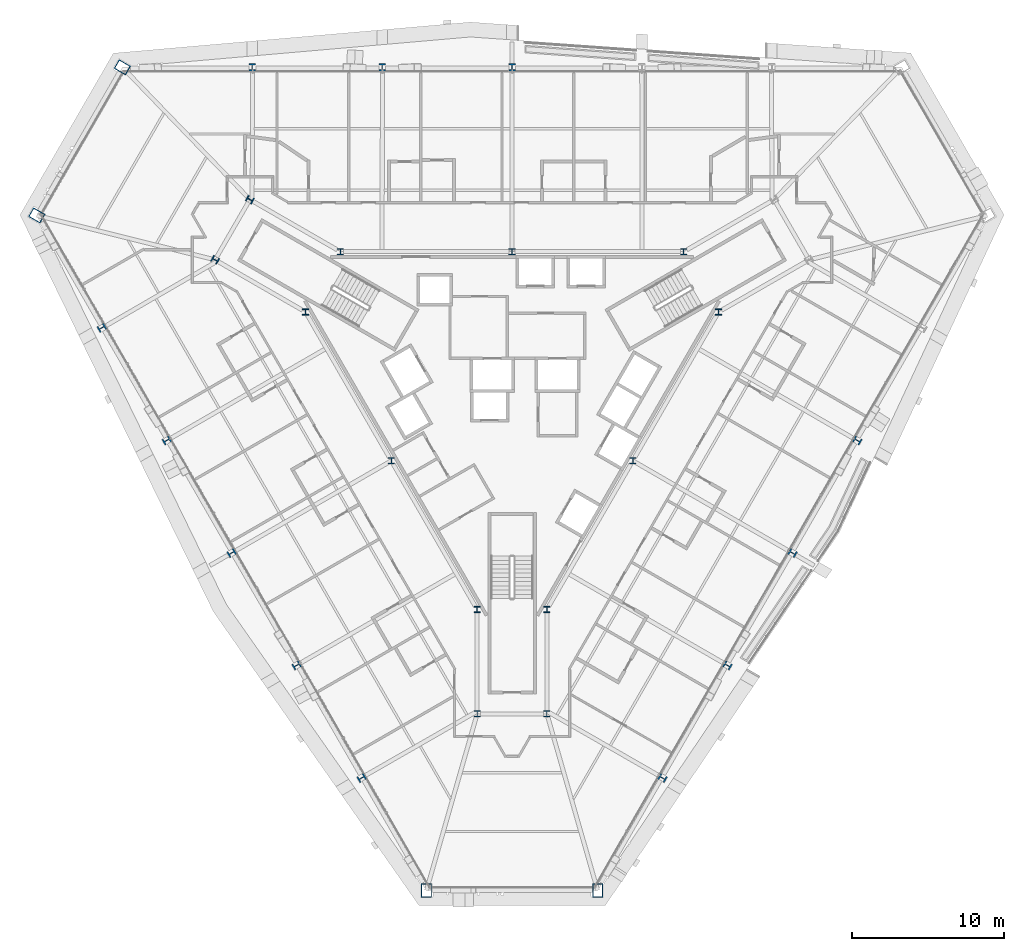
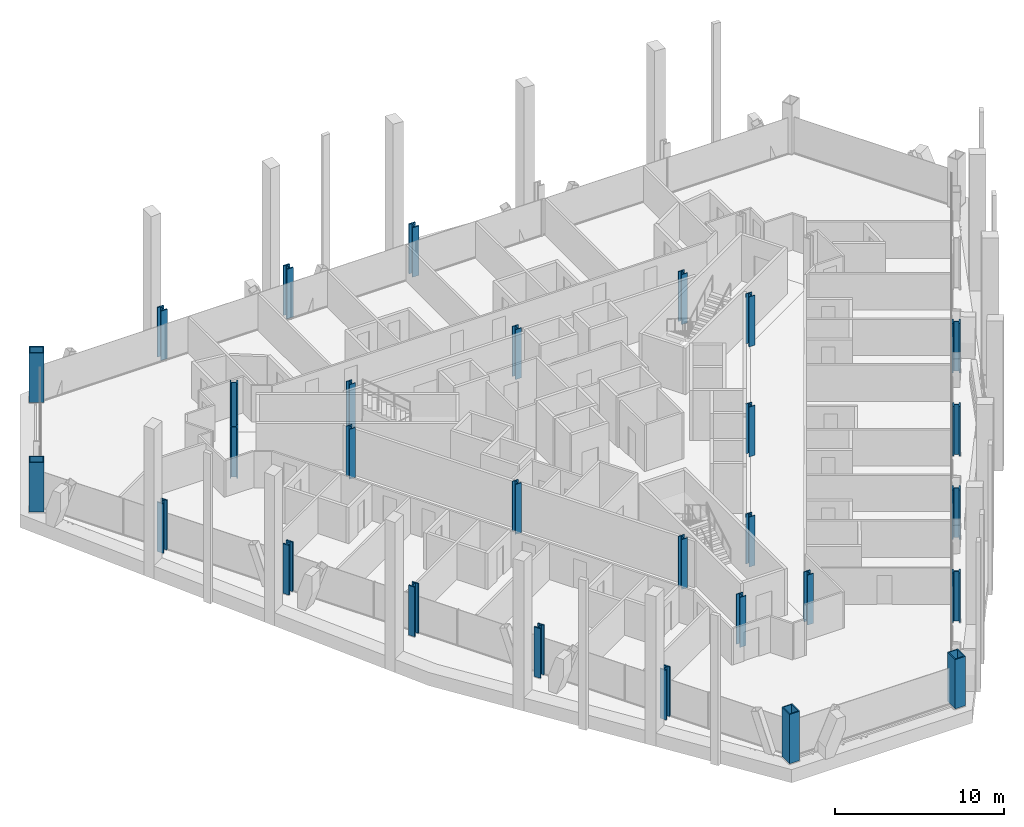
# One storey, part 1 of 21: 29 columns.
"""IFC4 building model written with IfcOpenShell, lengths in metres."""

from ifc_helpers import new_model, si_unit, direction, frame, origin, origin_2d, place, context, subcontext, project, spatial, hollow_rectangle, i_section, extrude, material, material_profile, profile_set, type_object, element, save


model = new_model("IFC4")

# Units and contexts
model_context = context("Model", 3, precision=1e-05, world=origin(), true_north=direction((0.0, 1.0)))
body_context = subcontext(model_context, "Body", "Model", "MODEL_VIEW")
ifc_project = project(units=[si_unit("LENGTHUNIT", "METRE"), si_unit("AREAUNIT", "SQUARE_METRE"), si_unit("VOLUMEUNIT", "CUBIC_METRE"), si_unit("PLANEANGLEUNIT", "RADIAN"), si_unit("MASSUNIT", "GRAM", prefix="KILO")], contexts=[model_context])

# Site, building, storey
site_placement = place(None, origin())
site = spatial("IfcSite", under=ifc_project, at=site_placement, CompositionType="ELEMENT")
building_placement = place(site_placement, origin())
building = spatial("IfcBuilding", under=site, at=building_placement, Name="Verrane Prism Tower", CompositionType="ELEMENT")
storey_placement = place(building_placement, frame((0.0, 0.0, 65.60009765625)))
storey = spatial("IfcBuildingStorey", under=building, at=storey_placement, Name="L14", CompositionType="ELEMENT", Elevation=65.60009765625)

# Columns
ifc_material_1 = material(Name="Steel A992", Category="steel")
ifc_material_profile_1 = material_profile(ifc_material_1, i_section(OverallWidth=0.419189453125, OverallDepth=0.45458984375, WebThickness=0.042236328125, FlangeThickness=0.067626953125, FilletRadius=0.01513671875, at=origin_2d()), Name="W14x370")
ifc_profile_set_1 = profile_set([ifc_material_profile_1], Name="Steel A992")
column_type_1 = type_object("IfcColumnType", Name="Core corner column W14x370", PredefinedType="COLUMN", material=ifc_profile_set_1)
for number, where, z_axis, x_axis, name in (
    (1, (-17.300048828125, 12.639892578125, 0.0), (0.0, 0.0, 1.0), (0.5, 0.866025403784, 0.0), "Core corner column CK-NWm L14"),
    (2, (-19.60009765625, 8.659912109375, 0.0), (0.0, 0.0, 1.0), (0.5, 0.866025403784, 0.0), "Core corner column CK-NWp L14"),
    (3, (-2.300048828125, -21.300048828125, 0.0), (0.0, 0.0, 1.0), (-1.0, 0.0, 0.0), "Core corner column CK-Sm L14"),
    (4, (2.300048828125, -21.300048828125, 0.0), (0.0, 0.0, 1.0), (-1.0, 0.0, 0.0), "Core corner column CK-Sp L14"),
):
    element("IfcColumn", number, at=place(storey_placement, frame(where, z_axis=z_axis, x_axis=x_axis)), inside=storey, type_object=column_type_1, Name=name, PredefinedType="COLUMN", context=body_context, shape_type="SweptSolid", body=[
        extrude(i_section(OverallWidth=0.419189453125, OverallDepth=0.45458984375, WebThickness=0.042236328125, FlangeThickness=0.067626953125, FilletRadius=0.01513671875, at=origin_2d()), origin(), (0.0, 0.0, 1.0), 3.599853515625),
    ])
ifc_material_2 = material(Name="Steel A992", Category="steel")
ifc_material_profile_2 = material_profile(ifc_material_2, i_section(OverallWidth=0.406494140625, OverallDepth=0.41650390625, WebThickness=0.030029296875, FlangeThickness=0.048095703125, FilletRadius=0.01513671875, at=origin_2d()), Name="W14x257")
ifc_profile_set_2 = profile_set([ifc_material_profile_2], Name="Steel A992")
column_type_2 = type_object("IfcColumnType", Name="Core side column W14x257", PredefinedType="COLUMN", material=ifc_profile_set_2)
for number, where, z_axis, x_axis, name in (
    (5, (13.6298828125, 5.219970703125, 0.0), (0.0, 0.0, 1.0), (1.0, 0.0, 0.0), "Core side column CC-NEm L14"),
    (6, (11.330078125, 9.199951171875, 0.0), (0.0, 0.0, 1.0), (1.0, 0.0, 0.0), "Core side column CC-NEp L14"),
    (7, (0.0, 9.199951171875, 0.0), (0.0, 0.0, 1.0), (1.0, 0.0, 0.0), "Core side column CC-N0 L14"),
    (8, (-11.330078125, 9.199951171875, 0.0), (0.0, 0.0, 1.0), (1.0, 0.0, 0.0), "Core side column CC-NWm L14"),
    (9, (-13.6298828125, 5.219970703125, 0.0), (0.0, 0.0, 1.0), (1.0, 0.0, 0.0), "Core side column CC-NWp L14"),
    (10, (-7.969970703125, -4.60009765625, 0.0), (0.0, 0.0, 1.0), (1.0, 0.0, 0.0), "Core side column CC-SW0 L14"),
    (11, (-2.300048828125, -14.419921875, 0.0), (0.0, 0.0, 1.0), (1.0, 0.0, 0.0), "Core side column CC-Sm L14"),
    (12, (2.300048828125, -14.419921875, 0.0), (0.0, 0.0, 1.0), (1.0, 0.0, 0.0), "Core side column CC-Sp L14"),
    (13, (7.969970703125, -4.60009765625, 0.0), (0.0, 0.0, 1.0), (1.0, 0.0, 0.0), "Core side column CC-SE0 L14"),
):
    element("IfcColumn", number, at=place(storey_placement, frame(where, z_axis=z_axis, x_axis=x_axis)), inside=storey, type_object=column_type_2, Name=name, PredefinedType="COLUMN", context=body_context, shape_type="SweptSolid", body=[
        extrude(i_section(OverallWidth=0.406494140625, OverallDepth=0.41650390625, WebThickness=0.030029296875, FlangeThickness=0.048095703125, FilletRadius=0.01513671875, at=origin_2d()), origin(), (0.0, 0.0, 1.0), 3.599853515625),
    ])
ifc_material_3 = material(Name="Steel A572 Grade 50", Category="steel")
ifc_material_profile_3 = material_profile(ifc_material_3, hollow_rectangle(XDim=0.699951171875, YDim=0.89990234375, WallThickness=0.06494140625, at=origin_2d()), Name="BOX 900x700x65")
ifc_profile_set_3 = profile_set([ifc_material_profile_3], Name="Steel A572 Grade 50")
column_type_3 = type_object("IfcColumnType", Name="Megacolumn BOX 900x700x65", PredefinedType="COLUMN", material=ifc_profile_set_3)
for number, where, z_axis, x_axis, name in (
    (14, (-25.719970703125, 21.3701171875, 0.039794921875), (0.0, 0.0, 1.0), (0.5, 0.866025403784, 0.0), "Megacolumn MC-NW.a L14"),
    (15, (-31.3701171875, 11.590087890625, 0.039794921875), (0.0, 0.0, 1.0), (0.5, 0.866025403784, 0.0), "Megacolumn MC-NW.b L14"),
    (16, (-5.64990234375, -32.9599609375, 0.039794921875), (0.0, 0.0, 1.0), (-1.0, 0.0, 0.0), "Megacolumn MC-S.a L14"),
    (17, (5.64990234375, -32.9599609375, 0.039794921875), (0.0, 0.0, 1.0), (-1.0, 0.0, 0.0), "Megacolumn MC-S.b L14"),
):
    element("IfcColumn", number, at=place(storey_placement, frame(where, z_axis=z_axis, x_axis=x_axis)), inside=storey, type_object=column_type_3, Name=name, PredefinedType="COLUMN", context=body_context, shape_type="SweptSolid", body=[
        extrude(hollow_rectangle(XDim=0.699951171875, YDim=0.89990234375, WallThickness=0.06494140625, at=origin_2d()), origin(), (0.0, 0.0, 1.0), 3.56005859375),
    ])
ifc_material_4 = material(Name="Steel A992", Category="steel")
ifc_material_profile_4 = material_profile(ifc_material_4, i_section(OverallWidth=0.431884765625, OverallDepth=0.497802734375, WebThickness=0.0556640625, FlangeThickness=0.0888671875, FilletRadius=0.01513671875, at=origin_2d()), Name="W14x500")
ifc_profile_set_4 = profile_set([ifc_material_profile_4], Name="Steel A992")
column_type_4 = type_object("IfcColumnType", Name="Perimeter column W14x500", PredefinedType="COLUMN", material=ifc_profile_set_4)
for number, where, z_axis, x_axis, name in (
    (18, (0.0, 21.3701171875, 0.02490234375), (0.0, 0.0, 1.0), (1.0, 0.0, 0.0), "Perimeter column PC-N3 L14"),
    (19, (-8.570068359375, 21.3701171875, 0.02490234375), (0.0, 0.0, 1.0), (1.0, 0.0, 0.0), "Perimeter column PC-N4 L14"),
    (20, (-17.14990234375, 21.3701171875, 0.02490234375), (0.0, 0.0, 1.0), (1.0, 0.0, 0.0), "Perimeter column PC-N5 L14"),
    (21, (-27.080078125, 4.169921875, 0.02490234375), (0.0, 0.0, 1.0), (-0.5, 0.866025403784, 0.0), "Perimeter column PC-SW1 L14"),
    (22, (-22.7900390625, -3.260009765625, 0.02490234375), (0.0, 0.0, 1.0), (-0.5, 0.866025403784, 0.0), "Perimeter column PC-SW2 L14"),
    (23, (-18.510009765625, -10.68994140625, 0.02490234375), (0.0, 0.0, 1.0), (-0.5, 0.866025403784, 0.0), "Perimeter column PC-SW3 L14"),
    (24, (-14.219970703125, -18.110107421875, 0.02490234375), (0.0, 0.0, 1.0), (-0.5, 0.866025403784, 0.0), "Perimeter column PC-SW4 L14"),
    (25, (-9.929931640625, -25.5400390625, 0.02490234375), (0.0, 0.0, 1.0), (-0.5, 0.866025403784, 0.0), "Perimeter column PC-SW5 L14"),
    (26, (9.929931640625, -25.5400390625, 0.02490234375), (0.0, 0.0, 1.0), (-0.5, -0.866025403784, 0.0), "Perimeter column PC-SE1 L14"),
    (27, (14.219970703125, -18.110107421875, 0.02490234375), (0.0, 0.0, 1.0), (-0.5, -0.866025403784, 0.0), "Perimeter column PC-SE2 L14"),
    (28, (18.510009765625, -10.68994140625, 0.02490234375), (0.0, 0.0, 1.0), (-0.5, -0.866025403784, 0.0), "Perimeter column PC-SE3 L14"),
    (29, (22.7900390625, -3.260009765625, 0.02490234375), (0.0, 0.0, 1.0), (-0.5, -0.866025403784, 0.0), "Perimeter column PC-SE4 L14"),
):
    element("IfcColumn", number, at=place(storey_placement, frame(where, z_axis=z_axis, x_axis=x_axis)), inside=storey, type_object=column_type_4, Name=name, PredefinedType="COLUMN", context=body_context, shape_type="SweptSolid", body=[
        extrude(i_section(OverallWidth=0.431884765625, OverallDepth=0.497802734375, WebThickness=0.0556640625, FlangeThickness=0.0888671875, FilletRadius=0.01513671875, at=origin_2d()), origin(), (0.0, 0.0, 1.0), 3.574951171875),
    ])

save(model, "model.ifc")
